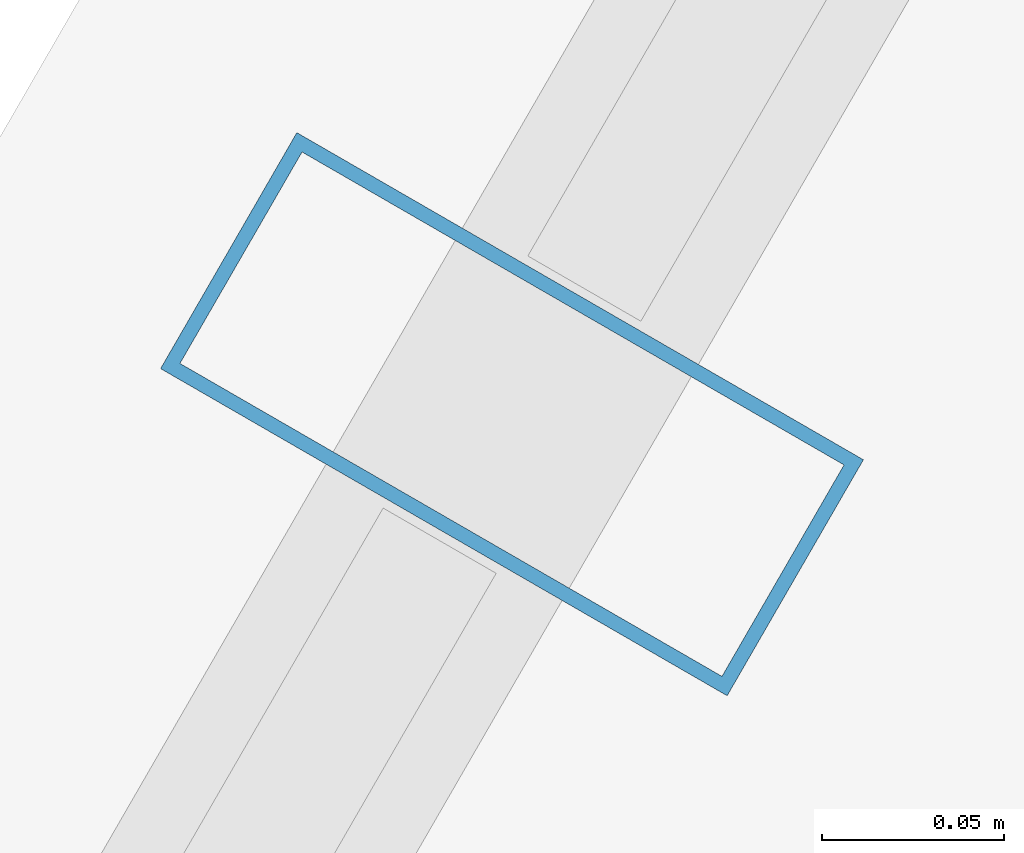
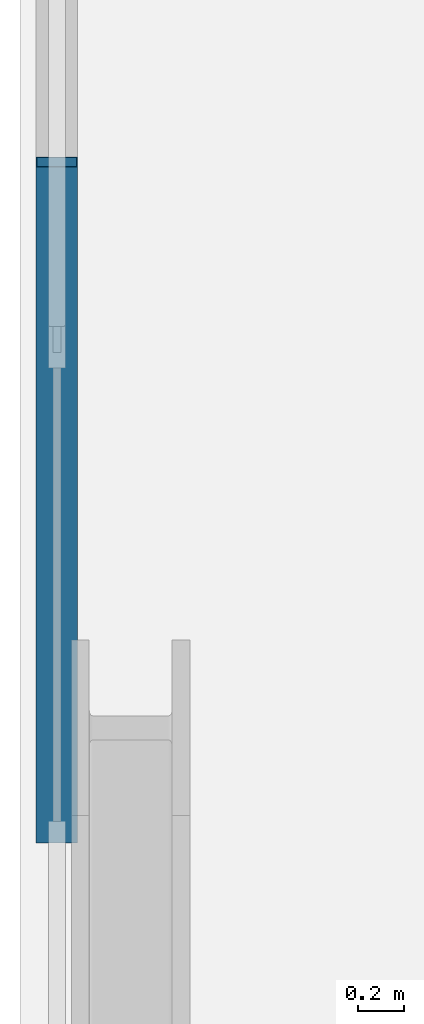
# One storey, part 14 of 32: 1 member, 1 element without a shape of its own.
"""IFC4 building model written with IfcOpenShell, lengths in metres."""

import ifcopenshell
import ifcopenshell.guid

model = None  # the IFC model being written
_history = None  # IfcOwnerHistory: only IFC2X3 demands one
_inside = {}  # id of a spatial element -> (the spatial element, [elements in it])
_under = {}  # id of a project, library or spatial element -> (it, [spatial elements below it])
_declared = {}  # id of a project -> (the project, [libraries it declares])
_typed = {}  # id of a type object -> (the type object, [elements of that type])
_made_of = {}  # id of a material, layer set ... -> (it, [elements and type objects made of it])


def new_model(schema):
    """Start an empty IFC model of exactly this schema.

    Asked for "IFC4X3", IfcOpenShell would pick the latest addendum, in which some entities
    have other attributes; the version numbers below select the first issue.
    IFC2X3 requires an IfcOwnerHistory on every rooted entity: one is made here for all.
    """
    global model, _history
    if schema == "IFC4X3":
        model = ifcopenshell.file(schema_version=(4, 3, 0, 0))
    else:
        model = ifcopenshell.file(schema=schema)
    _inside.clear()
    _under.clear()
    _declared.clear()
    _typed.clear()
    _made_of.clear()
    _history = None
    if model.schema == "IFC2X3":
        org = make("IfcOrganization", Name="unknown")
        user = make(
            "IfcPersonAndOrganization",
            ThePerson=make("IfcPerson", FamilyName="unknown"),
            TheOrganization=org,
        )
        app = make(
            "IfcApplication",
            ApplicationDeveloper=org,
            Version="unknown",
            ApplicationFullName="unknown",
            ApplicationIdentifier="unknown",
        )
        _history = make(
            "IfcOwnerHistory",
            OwningUser=user,
            OwningApplication=app,
            ChangeAction="ADDED",
            CreationDate=0,
        )
    return model


def make(cls, **values):
    """One entity of the class cls with the attributes given. An attribute that is None is left unset."""
    return model.create_entity(
        cls, **{name: value for name, value in values.items() if value is not None}
    )


def rooted(cls, **values):
    """An entity with a GlobalId (a new one), such as an element, a storey or a relation."""
    return make(cls, GlobalId=ifcopenshell.guid.new(), OwnerHistory=_history, **values)


def si_unit(unit_type, name, prefix=None):
    """IfcSIUnit, for example si_unit("LENGTHUNIT", "METRE", prefix="MILLI")."""
    return make("IfcSIUnit", UnitType=unit_type, Prefix=prefix, Name=name)


def assignment(units):
    """IfcUnitAssignment: the units of a project."""
    return None if units is None else make("IfcUnitAssignment", Units=units)


def point(xyz):
    """IfcCartesianPoint."""
    return None if xyz is None else make("IfcCartesianPoint", Coordinates=xyz)


def direction(xyz):
    """IfcDirection."""
    return None if xyz is None else make("IfcDirection", DirectionRatios=xyz)


def frame(location, z_axis=None, x_axis=None):
    """IfcAxis2Placement3D, a coordinate frame: its origin and axes. An axis left out is left unset."""
    return make(
        "IfcAxis2Placement3D",
        Location=point(location),
        Axis=direction(z_axis),
        RefDirection=direction(x_axis),
    )


def frame_2d(location, x_axis=None):
    """IfcAxis2Placement2D, a coordinate frame in the plane: its origin and x axis."""
    return make(
        "IfcAxis2Placement2D", Location=point(location), RefDirection=direction(x_axis)
    )


def origin():
    """The frame at (0, 0, 0) with its axes left unset."""
    return frame((0.0, 0.0, 0.0))


def origin_2d():
    """The frame at (0, 0) in the plane with its x axis left unset."""
    return frame_2d((0.0, 0.0))


def place(relative_to, where):
    """IfcLocalPlacement: puts the frame where relative to a parent placement (None: the world)."""
    return make(
        "IfcLocalPlacement", PlacementRelTo=relative_to, RelativePlacement=where
    )


def context(
    kind, dimensions, precision=None, world=None, true_north=None, identifier=None
):
    """IfcGeometricRepresentationContext, for example the 3D "Model" context."""
    return make(
        "IfcGeometricRepresentationContext",
        ContextIdentifier=identifier,
        ContextType=kind,
        CoordinateSpaceDimension=dimensions,
        Precision=precision,
        WorldCoordinateSystem=world,
        TrueNorth=true_north,
    )


def subcontext(parent, identifier, kind, view, scale=None):
    """IfcGeometricRepresentationSubContext, for example "Body" below "Model"."""
    return make(
        "IfcGeometricRepresentationSubContext",
        ContextIdentifier=identifier,
        ContextType=kind,
        ParentContext=parent,
        TargetScale=scale,
        TargetView=view,
    )


def project(units=None, contexts=None):
    """IfcProject with its units and contexts."""
    return rooted(
        "IfcProject",
        Name="project",
        RepresentationContexts=contexts,
        UnitsInContext=assignment(units),
    )


def spatial(cls, under=None, at=None, **own):
    """A site, building, storey or space (cls), placed at a placement, below another one or the project."""
    s = rooted(cls, ObjectPlacement=at, **own)
    if under is not None:
        _under.setdefault(under.id(), (under, []))[1].append(s)
    return s


def profile(cls, at=None, kind="AREA", **sizes):
    """A parametric profile (cls). Its sizes go by their IFC names, for example OverallWidth=200.0."""
    return make(cls, ProfileType=kind, Position=at, **sizes)


def hollow_rectangle(**sizes):
    """IfcRectangleHollowProfileDef."""
    return profile("IfcRectangleHollowProfileDef", **sizes)


def extrude(swept, where, along, depth):
    """IfcExtrudedAreaSolid: the profile swept, set in the frame where, extruded along a direction by depth."""
    return make(
        "IfcExtrudedAreaSolid",
        SweptArea=swept,
        Position=where,
        ExtrudedDirection=direction(along),
        Depth=depth,
    )


def shape(context_of_items, identifier, shape_type, items):
    """IfcShapeRepresentation: the items that make up one representation, for example the "Body"."""
    return make(
        "IfcShapeRepresentation",
        ContextOfItems=context_of_items,
        RepresentationIdentifier=identifier,
        RepresentationType=shape_type,
        Items=items,
    )


def material(Name=None, Category=None):
    """IfcMaterial."""
    return make("IfcMaterial", Name=Name, Category=Category)


def layer(
    of_material, thickness, ventilated=None, Name=None, Category=None, Priority=None
):
    """IfcMaterialLayer: one layer of a wall or slab, of a material (None: an air gap)."""
    return make(
        "IfcMaterialLayer",
        Material=of_material,
        LayerThickness=thickness,
        IsVentilated=ventilated,
        Name=Name,
        Category=Category,
        Priority=Priority,
    )


def layer_set(layers, Name=None):
    """IfcMaterialLayerSet."""
    return make("IfcMaterialLayerSet", MaterialLayers=layers, LayerSetName=Name)


def material_profile(
    of_material, cross_section, Name=None, Category=None, Priority=None
):
    """IfcMaterialProfile: a cross section and its material."""
    return make(
        "IfcMaterialProfile",
        Name=Name,
        Material=of_material,
        Profile=cross_section,
        Priority=Priority,
        Category=Category,
    )


def profile_set(profiles, Name=None, composite=None):
    """IfcMaterialProfileSet."""
    return make(
        "IfcMaterialProfileSet",
        Name=Name,
        MaterialProfiles=profiles,
        CompositeProfile=composite,
    )


def made_of(thing, what):
    """Note that an element or type object is made of a material, layer set ...; save() writes the relation."""
    if what is not None:
        _made_of.setdefault(what.id(), (what, []))[1].append(thing)
    return thing


def type_object(cls, material=None, **own):
    """A type object (cls), such as IfcWallType, which elements share."""
    return made_of(rooted(cls, **own), material)


def element(
    cls,
    number,
    at=None,
    inside=None,
    cuts=None,
    type_object=None,
    material=None,
    context=None,
    identifier="Body",
    shape_type=None,
    held_by="IfcProductDefinitionShape",
    body=None,
    shapes=None,
    **own,
):
    """One element of the class cls, such as IfcWall. Its Tag is "e" and its number.

    at: its placement. inside: the storey or other place that contains it. cuts: it is an
    opening in that element (IfcRelVoidsElement). A single representation is given by context,
    identifier, shape_type and body (its items); several are given by shapes. held_by: the class
    of the entity that holds the representations. save() writes the other relations.
    """
    e = rooted(cls, Tag="e%d" % number, ObjectPlacement=at, **own)
    if body is not None:
        shapes = [shape(context, identifier, shape_type, body)]
    if shapes is not None:
        e.Representation = make(held_by, Representations=shapes)
    if inside is not None:
        _inside.setdefault(inside.id(), (inside, []))[1].append(e)
    if cuts is not None:
        rooted(
            "IfcRelVoidsElement", RelatingBuildingElement=cuts, RelatedOpeningElement=e
        )
    if type_object is not None:
        _typed.setdefault(type_object.id(), (type_object, []))[1].append(e)
    return made_of(e, material)


def aggregate(whole, parts):
    """IfcRelAggregates: a whole, such as a stair, and the parts it consists of."""
    return rooted("IfcRelAggregates", RelatingObject=whole, RelatedObjects=parts)


def save(model, path):
    """Write the relations noted so far, then the file.

    IfcRelAggregates (storeys below a building ...), IfcRelContainedInSpatialStructure (elements
    in a storey), IfcRelDefinesByType, IfcRelAssociatesMaterial and IfcRelDeclares: one each for
    every whole, place, type object, material and project.
    """
    for whole, parts in _under.values():
        aggregate(whole, parts)
    for where, things in _inside.values():
        rooted(
            "IfcRelContainedInSpatialStructure",
            RelatedElements=things,
            RelatingStructure=where,
        )
    for kind, things in _typed.values():
        rooted("IfcRelDefinesByType", RelatedObjects=things, RelatingType=kind)
    for what, things in _made_of.values():
        rooted("IfcRelAssociatesMaterial", RelatedObjects=things, RelatingMaterial=what)
    for by, libraries in _declared.values():
        rooted("IfcRelDeclares", RelatingContext=by, RelatedDefinitions=libraries)
    model.write(path)


model = new_model("IFC4")

# Units and contexts
model_context = context("Model", 3, precision=1e-05, world=origin(), true_north=direction((0.0, 1.0)))
body_context = subcontext(model_context, "Body", "Model", "MODEL_VIEW")
ifc_project = project(units=[si_unit("LENGTHUNIT", "METRE"), si_unit("AREAUNIT", "SQUARE_METRE"), si_unit("VOLUMEUNIT", "CUBIC_METRE"), si_unit("PLANEANGLEUNIT", "RADIAN"), si_unit("MASSUNIT", "GRAM", prefix="KILO")], contexts=[model_context])

# Site, building, storey
site_placement = place(None, origin())
site = spatial("IfcSite", under=ifc_project, at=site_placement, CompositionType="ELEMENT")
building_placement = place(site_placement, origin())
building = spatial("IfcBuilding", under=site, at=building_placement, Name="Ndaravel Arena Tower", CompositionType="ELEMENT")
storey_placement = place(building_placement, frame((0.0, 0.0, 74.0)))
storey = spatial("IfcBuildingStorey", under=building, at=storey_placement, Name="L16", CompositionType="ELEMENT", Elevation=74.0)

# Curtain wall, member
ifc_material_1 = material(Name="Aluminium", Category="aluminium")
ifc_layer = layer(ifc_material_1, 0.179931640625)
ifc_layer_set = layer_set([ifc_layer], Name="Aluminium")
curtain_wall_type = type_object("IfcCurtainWallType", Name="CW-SYS-03", PredefinedType="NOTDEFINED", material=ifc_layer_set)
curtain_wall_placement = place(storey_placement, origin())
curtain_wall = element("IfcCurtainWall", 1, at=curtain_wall_placement, inside=storey, type_object=curtain_wall_type, Name="L16 Faceted Crystal Curtain Wall CW-L16-E05", PredefinedType="NOTDEFINED")
ifc_material_2 = material(Name="Aluminium", Category="aluminium")
ifc_material_profile = material_profile(ifc_material_2, hollow_rectangle(XDim=0.074951171875, YDim=0.179931640625, WallThickness=0.00390625, at=origin_2d()), Name="CW MULLION 75x180x4")
ifc_profile_set = profile_set([ifc_material_profile], Name="Aluminium")
member_type = type_object("IfcMemberType", Name="MEM-CW-MUL180", PredefinedType="MULLION", material=ifc_profile_set)
member_placement = place(storey_placement, frame((27.64990234375, 33.977783203125, 0.0), z_axis=(0.0, 0.0, 1.0), x_axis=(-0.5, -0.866025403784, 0.0)))
member = element("IfcMember", 2, at=member_placement, type_object=member_type, Name="CW-L16-E05 Mullion 03", PredefinedType="MULLION", context=body_context, shape_type="SweptSolid", body=[
    extrude(hollow_rectangle(XDim=0.074951171875, YDim=0.179931640625, WallThickness=0.00390625, at=origin_2d()), origin(), (0.0, 0.0, 1.0), 3.580078125),
])
aggregate(curtain_wall, [member])

save(model, "model.ifc")
